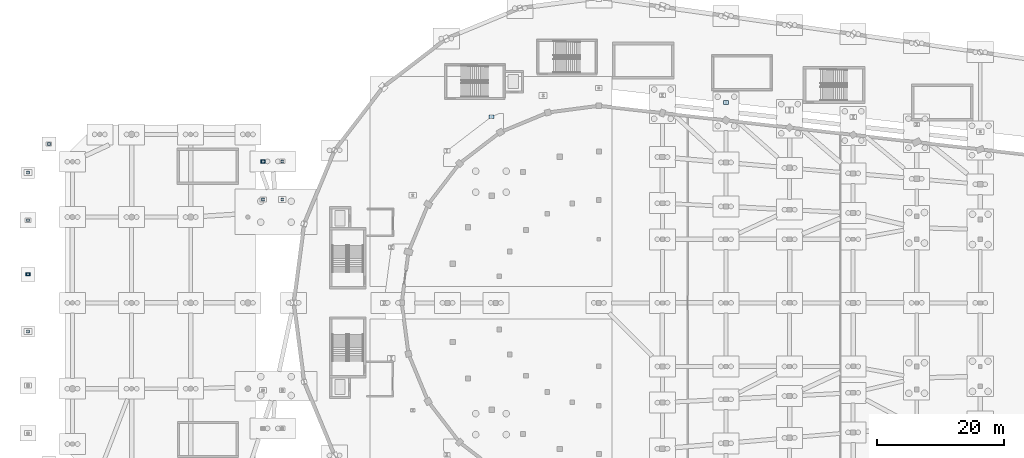
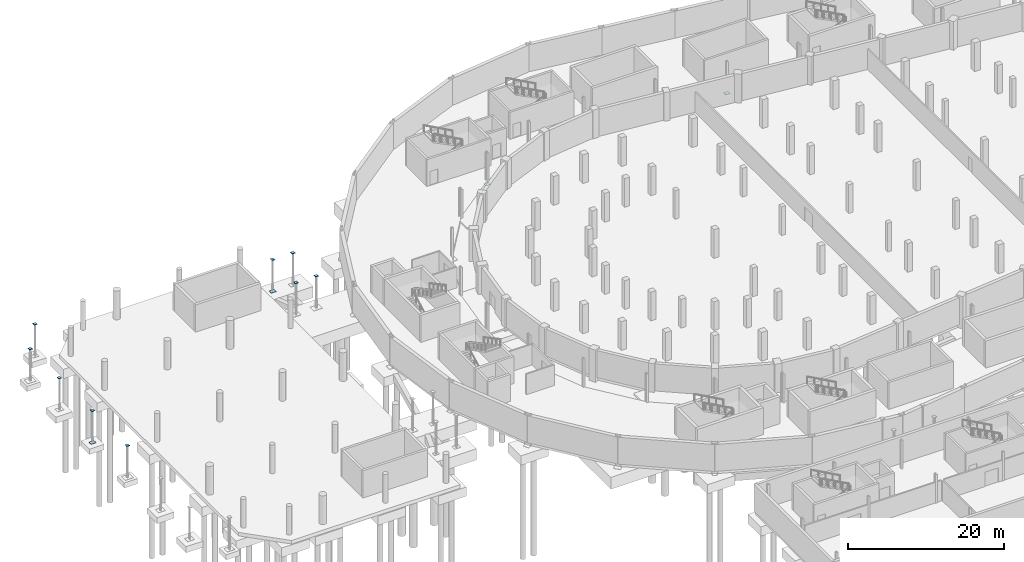
# One storey, part 40 of 55: 13 plates.
"""IFC4 building model written with IfcOpenShell, lengths in metres."""

from ifc_helpers import new_model, si_unit, direction, frame, origin, origin_2d, place, context, subcontext, project, spatial, rectangle, extrude, material, layer, layer_set, type_object, element, save


model = new_model("IFC4")

# Units and contexts
model_context = context("Model", 3, precision=1e-05, world=origin(), true_north=direction((0.0, 1.0)))
body_context = subcontext(model_context, "Body", "Model", "MODEL_VIEW")
ifc_project = project(units=[si_unit("LENGTHUNIT", "METRE"), si_unit("AREAUNIT", "SQUARE_METRE"), si_unit("VOLUMEUNIT", "CUBIC_METRE"), si_unit("PLANEANGLEUNIT", "RADIAN"), si_unit("MASSUNIT", "GRAM", prefix="KILO")], contexts=[model_context])

# Site, building, storey
site_placement = place(None, origin())
site = spatial("IfcSite", under=ifc_project, at=site_placement, CompositionType="ELEMENT")
building_placement = place(site_placement, origin())
building = spatial("IfcBuilding", under=site, at=building_placement, Name="Sohan Crest Arena", CompositionType="ELEMENT")
storey_placement = place(building_placement, frame((0.0, 0.0, -4.5)))
storey = spatial("IfcBuildingStorey", under=building, at=storey_placement, Name="B1", CompositionType="ELEMENT", Elevation=-4.5)

# Plates
ifc_material = material(Name="Steel S355", Category="steel")
ifc_layer_1 = layer(ifc_material, 0.031982421875, Name="Steel S355")
ifc_layer_set_1 = layer_set([ifc_layer_1], Name="Steel S355")
plate_type_1 = type_object("IfcPlateType", Name="STR-PL-BP01", PredefinedType="USERDEFINED", material=ifc_layer_set_1)
for number, where, z_axis, x_axis, name in (
    (1, (8.199951171875, 73.5, 4.487548828125), (0.0, 0.0, 1.0), (1.0, 0.0, 0.0), "Hollow section end cap plate ECP-0003"),
    (2, (8.199951171875, 82.5, 4.487548828125), (0.0, 0.0, 1.0), (1.0, 0.0, 0.0), "Hollow section end cap plate ECP-0005"),
    (3, (8.199951171875, 91.0, 4.487548828125), (0.0, 0.0, 1.0), (1.0, 0.0, 0.0), "Hollow section end cap plate ECP-0007"),
    (4, (11.5, 103.0, 4.487548828125), (0.0, 0.0, 1.0), (1.0, 0.0, 0.0), "Hollow section end cap plate ECP-0011"),
    (5, (8.199951171875, 98.5, 4.487548828125), (0.0, 0.0, 1.0), (1.0, 0.0, 0.0), "Hollow section end cap plate ECP-0015"),
    (6, (45.199951171875, 94.25, 4.487548828125), (0.0, 0.0, 1.0), (1.0, 0.0, 0.0), "Hollow section end cap plate ECP-0037"),
    (7, (48.199951171875, 94.25, 4.487548828125), (0.0, 0.0, 1.0), (1.0, 0.0, 0.0), "Hollow section end cap plate ECP-0042"),
    (8, (45.199951171875, 100.25, 4.487548828125), (0.0, 0.0, 1.0), (1.0, 0.0, 0.0), "Hollow section end cap plate ECP-0047"),
    (9, (48.199951171875, 100.25, 4.487548828125), (0.0, 0.0, 1.0), (1.0, 0.0, 0.0), "Hollow section end cap plate ECP-0052"),
):
    element("IfcPlate", number, at=place(storey_placement, frame(where, z_axis=z_axis, x_axis=x_axis)), inside=storey, type_object=plate_type_1, Name=name, ObjectType="BASE PLATE", PredefinedType="USERDEFINED", context=body_context, shape_type="SweptSolid", body=[
        extrude(rectangle(XDim=0.449951171875, YDim=0.449951171875, at=origin_2d()), origin(), (0.0, 0.0, 1.0), 0.02490234375),
    ])
ifc_layer_2 = layer(ifc_material, 0.030029296875, Name="Steel S355")
ifc_layer_set_2 = layer_set([ifc_layer_2], Name="Steel S355")
plate_type_2 = type_object("IfcPlateType", Name="STR-PL-BP04", PredefinedType="USERDEFINED", material=ifc_layer_set_2)
for number, where, z_axis, x_axis, name in (
    (10, (8.199951171875, 82.5, -0.5498046875), (0.0, 0.0, 1.0), (1.0, 0.0, 0.0), "Canopy column base plate BP-P03"),
    (11, (81.10009765625, 107.27197265625, -0.5498046875), (0.0, 0.0, 1.0), (1.0, 0.0, 0.0), "Steel column base plate BP-V2I-03"),
    (12, (118.0, 109.513916015625, -0.5498046875), (0.0, 0.0, 1.0), (1.0, 0.0, 0.0), "Steel column base plate BP-V2I-33"),
    (13, (45.199951171875, 100.25, -0.5498046875), (0.0, 0.0, 1.0), (1.0, 0.0, 0.0), "Steel column base plate BP-BC-BR-W2-3"),
):
    element("IfcPlate", number, at=place(storey_placement, frame(where, z_axis=z_axis, x_axis=x_axis)), inside=storey, type_object=plate_type_2, Name=name, ObjectType="BASE PLATE", PredefinedType="USERDEFINED", context=body_context, shape_type="SweptSolid", body=[
        extrude(rectangle(XDim=0.760009765625, YDim=0.580078125, at=origin_2d()), origin(), (0.0, 0.0, 1.0), 0.030029296875),
    ])

save(model, "model.ifc")
